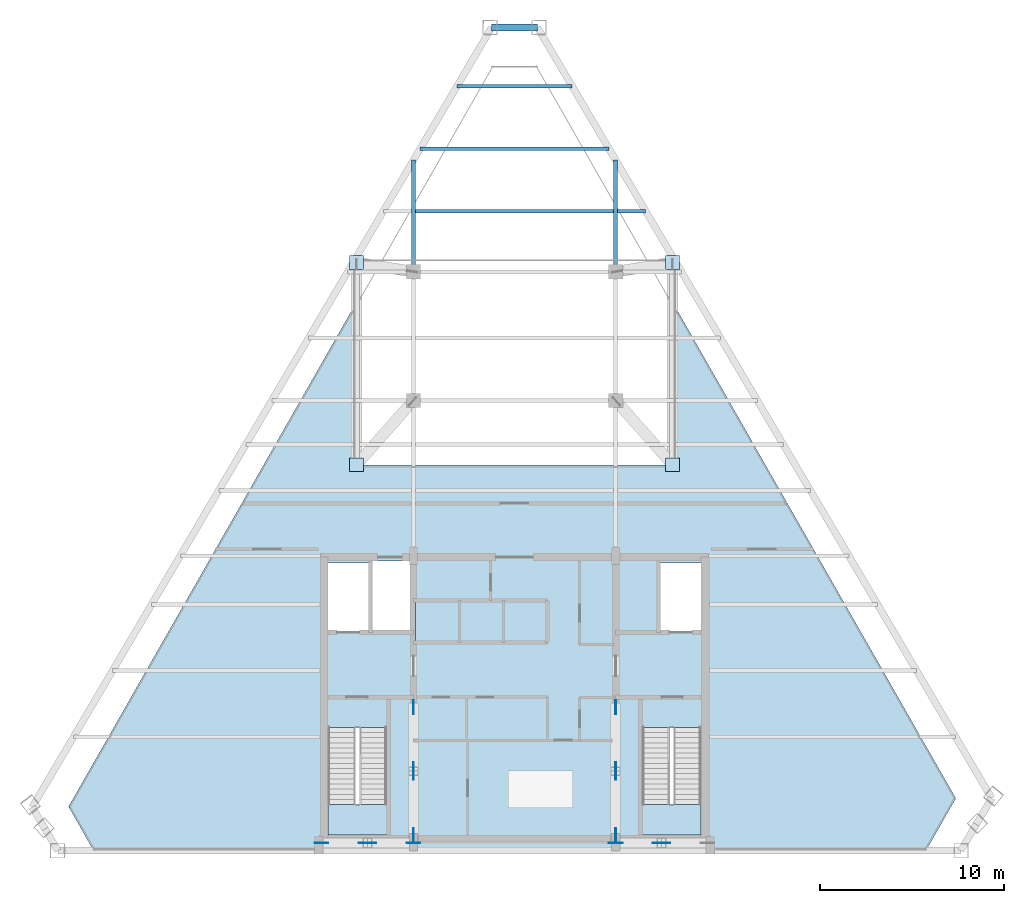
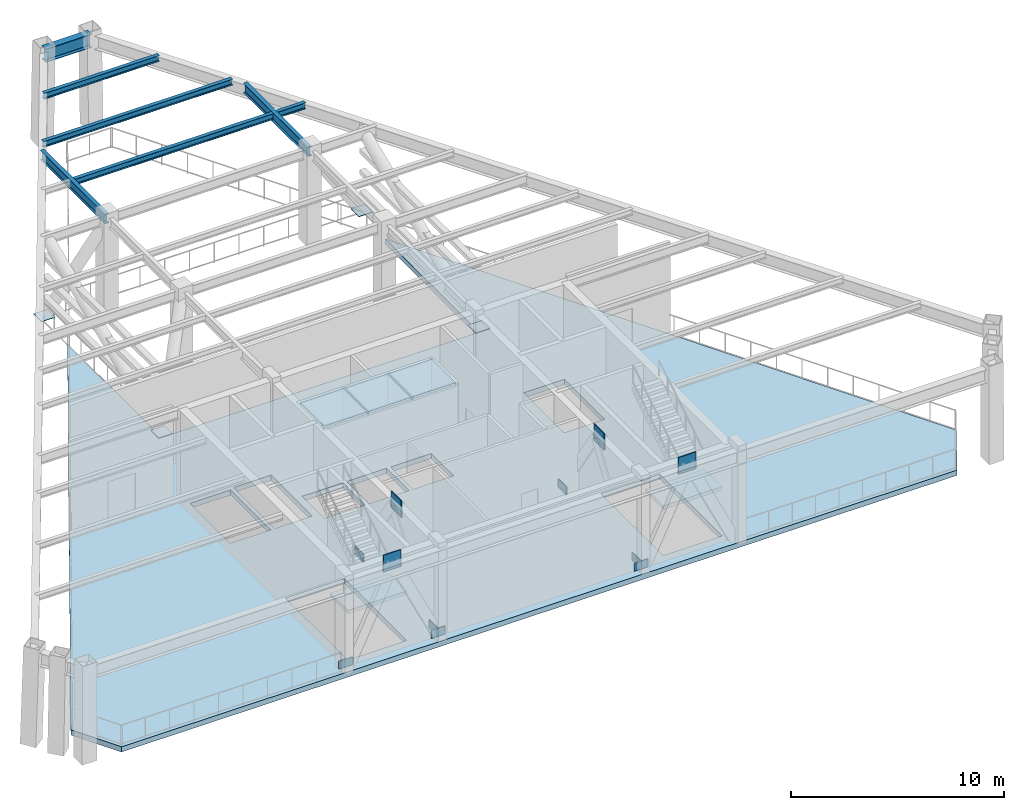
# One storey, part 2 of 6: 15 plates, 7 beams, 6 slabs, 2 elements without a shape of their own.
"""IFC4 building model written with IfcOpenShell, lengths in metres."""

from ifc_helpers import new_model, si_unit, direction, frame, origin, origin_2d, place, context, subcontext, project, spatial, polyline, rectangle, i_section, outline, extrude, source, transform, mapped, material, layer, layer_set, material_profile, profile_set, type_object, type_shapes, element, aggregate, save


model = new_model("IFC4")

# Units and contexts
model_context = context("Model", 3, precision=1e-05, world=origin(), true_north=direction((0.0, 1.0)))
body_context = subcontext(model_context, "Body", "Model", "MODEL_VIEW")
ifc_project = project(units=[si_unit("LENGTHUNIT", "METRE"), si_unit("AREAUNIT", "SQUARE_METRE"), si_unit("VOLUMEUNIT", "CUBIC_METRE"), si_unit("PLANEANGLEUNIT", "RADIAN"), si_unit("MASSUNIT", "GRAM", prefix="KILO")], contexts=[model_context])

# Site, building, storey
site_placement = place(None, origin())
site = spatial("IfcSite", under=ifc_project, at=site_placement, CompositionType="ELEMENT")
building_placement = place(site_placement, origin())
building = spatial("IfcBuilding", under=site, at=building_placement, Name="Varnakhor Terracotta Tower", CompositionType="ELEMENT")
storey_placement = place(building_placement, frame((0.0, 0.0, 304.050048828125)))
storey = spatial("IfcBuildingStorey", under=building, at=storey_placement, Name="L80", CompositionType="ELEMENT", Elevation=304.050048828125)

# Beams
ifc_material_1 = material(Name="Steel S355", Category="steel")
ifc_material_profile_1 = material_profile(ifc_material_1, i_section(OverallWidth=0.202880859375, OverallDepth=0.346923828125, WebThickness=0.0078125, FlangeThickness=0.013427734375, FilletRadius=0.01806640625, at=origin_2d()), Name="W14X43")
ifc_profile_set_1 = profile_set([ifc_material_profile_1], Name="Steel S355")
beam_type_1 = type_object("IfcBeamType", Name="JST-W14X43", PredefinedType="JOIST", material=ifc_profile_set_1)
shared_shape_1 = source(origin(), body_context, "Body", "SweptSolid", [
    extrude(i_section(OverallWidth=0.202880859375, OverallDepth=0.346923828125, WebThickness=0.0078125, FlangeThickness=0.013427734375, FilletRadius=0.01806640625, at=origin_2d()), origin(), (0.0, 0.0, 1.0), 10.7939453125),
])
beam_1_placement = place(storey_placement, frame((-5.39697265625, 34.800048828125, 5.176513671875), z_axis=(1.0, 0.0, 0.0), x_axis=(0.0, 1.0, 0.0)))
element("IfcBeam", 1, at=beam_1_placement, inside=storey, type_object=beam_type_1, Name="L80 Composite Floor Joist 7-2", PredefinedType="JOIST", context=body_context, shape_type="MappedRepresentation", body=[
    mapped(shared_shape_1, transform((0.0, 0.0, 0.0), scale=1.0)),
])
ifc_material_profile_2 = material_profile(ifc_material_1, i_section(OverallWidth=0.381103515625, OverallDepth=0.77294921875, WebThickness=0.01708984375, FlangeThickness=0.027099609375, FilletRadius=0.01806640625, at=origin_2d()), Name="W30X173")
ifc_profile_set_2 = profile_set([ifc_material_profile_2], Name="Steel S355")
beam_type_2 = type_object("IfcBeamType", Name="BM-W30X173", PredefinedType="BEAM", material=ifc_profile_set_2)
shared_shape_2 = source(origin(), body_context, "Body", "SweptSolid", [
    extrude(i_section(OverallWidth=0.381103515625, OverallDepth=0.77294921875, WebThickness=0.01708984375, FlangeThickness=0.027099609375, FilletRadius=0.01806640625, at=origin_2d()), origin(), (0.0, 0.0, 1.0), 2.49853515625),
])
beam_2_placement = place(storey_placement, frame((1.249267578125, 44.789794921875, 4.96337890625), z_axis=(-1.0, 0.0, 0.0), x_axis=(0.0, -1.0, 0.0)))
element("IfcBeam", 2, at=beam_2_placement, inside=storey, type_object=beam_type_2, Name="L80 Perimeter Spandrel 5", PredefinedType="BEAM", context=body_context, shape_type="MappedRepresentation", body=[
    mapped(shared_shape_2, transform((0.0, 0.0, 0.0), scale=1.0)),
])
ifc_material_profile_3 = material_profile(ifc_material_1, i_section(OverallWidth=0.214111328125, OverallDepth=0.549072265625, WebThickness=0.014892578125, FlangeThickness=0.02392578125, FilletRadius=0.01806640625, at=origin_2d()), Name="W21X93")
ifc_profile_set_3 = profile_set([ifc_material_profile_3], Name="Steel S355")
beam_type_3 = type_object("IfcBeamType", Name="BM-W21X93", PredefinedType="BEAM", material=ifc_profile_set_3)
shared_shape_3 = source(origin(), body_context, "Body", "SweptSolid", [
    extrude(i_section(OverallWidth=0.214111328125, OverallDepth=0.549072265625, WebThickness=0.014892578125, FlangeThickness=0.02392578125, FilletRadius=0.01806640625, at=origin_2d()), origin(), (0.0, 0.0, 1.0), 6.076904296875),
])
for number, where, z_axis, x_axis, name in (
    (3, (-5.5, 31.5, 5.075439453125), (0.0, 1.0, 0.0), (-1.0, 0.0, 0.0), "L80 Primary Girder NS3-W"),
    (4, (5.5, 31.5, 5.075439453125), (0.0, 1.0, 0.0), (-1.0, 0.0, 0.0), "L80 Primary Girder NS3-E"),
):
    element("IfcBeam", number, at=place(storey_placement, frame(where, z_axis=z_axis, x_axis=x_axis)), inside=storey, type_object=beam_type_3, Name=name, PredefinedType="BEAM", context=body_context, shape_type="MappedRepresentation", body=[
        mapped(shared_shape_3, transform((0.0, 0.0, 0.0), scale=1.0)),
    ])
shared_shape_4 = source(origin(), body_context, "Body", "SweptSolid", [
    extrude(i_section(OverallWidth=0.202880859375, OverallDepth=0.346923828125, WebThickness=0.0078125, FlangeThickness=0.013427734375, FilletRadius=0.01806640625, at=origin_2d()), origin(), (0.0, 0.0, 1.0), 1.533447265625),
])
beam_3_placement = place(storey_placement, frame((5.60302734375, 34.800048828125, 5.176513671875), z_axis=(1.0, 0.0, 0.0), x_axis=(0.0, 1.0, 0.0)))
element("IfcBeam", 5, at=beam_3_placement, inside=storey, type_object=beam_type_1, Name="L80 Composite Floor Joist 7-3", PredefinedType="JOIST", context=body_context, shape_type="MappedRepresentation", body=[
    mapped(shared_shape_4, transform((0.0, 0.0, 0.0), scale=1.0)),
])
shared_shape_5 = source(origin(), body_context, "Body", "SweptSolid", [
    extrude(i_section(OverallWidth=0.202880859375, OverallDepth=0.346923828125, WebThickness=0.0078125, FlangeThickness=0.013427734375, FilletRadius=0.01806640625, at=origin_2d()), origin(), (0.0, 0.0, 1.0), 10.265625),
])
beam_4_placement = place(storey_placement, frame((-5.1328125, 38.199951171875, 5.176513671875), z_axis=(1.0, 0.0, 0.0), x_axis=(0.0, 1.0, 0.0)))
element("IfcBeam", 6, at=beam_4_placement, inside=storey, type_object=beam_type_1, Name="L80 Composite Floor Joist 8-1", PredefinedType="JOIST", context=body_context, shape_type="MappedRepresentation", body=[
    mapped(shared_shape_5, transform((0.0, 0.0, 0.0), scale=1.0)),
])
shared_shape_6 = source(origin(), body_context, "Body", "SweptSolid", [
    extrude(i_section(OverallWidth=0.202880859375, OverallDepth=0.346923828125, WebThickness=0.0078125, FlangeThickness=0.013427734375, FilletRadius=0.01806640625, at=origin_2d()), origin(), (0.0, 0.0, 1.0), 6.2578125),
])
beam_5_placement = place(storey_placement, frame((-3.12890625, 41.60009765625, 5.176513671875), z_axis=(1.0, 0.0, 0.0), x_axis=(0.0, 1.0, 0.0)))
element("IfcBeam", 7, at=beam_5_placement, inside=storey, type_object=beam_type_1, Name="L80 Composite Floor Joist 9-1", PredefinedType="JOIST", context=body_context, shape_type="MappedRepresentation", body=[
    mapped(shared_shape_6, transform((0.0, 0.0, 0.0), scale=1.0)),
])

# Stair, slab
ifc_material_2 = material(Name="Concrete C40/50", Category="concrete")
stair_type = type_object("IfcStairType", Name="STR-CORE-HOTEL-1500", PredefinedType="HALF_TURN_STAIR", material=ifc_material_2)
stair_1_placement = place(storey_placement, origin())
stair_1 = element("IfcStair", 8, at=stair_1_placement, inside=storey, type_object=stair_type, Name="L80 Core Exit Stair ST-1", PredefinedType="HALF_TURN_STAIR")
ifc_layer_1 = layer(ifc_material_2, 0.179931640625, Name="Concrete C40/50")
ifc_layer_set_1 = layer_set([ifc_layer_1], Name="Concrete C40/50")
slab_type_1 = type_object("IfcSlabType", Name="SLB-LANDING-180", PredefinedType="LANDING", material=ifc_layer_set_1)
slab_1_placement = place(storey_placement, frame((0.0, 0.0, 2.625)))
slab_1 = element("IfcSlab", 9, at=slab_1_placement, type_object=slab_type_1, Name="ST-1 landing 1", PredefinedType="LANDING", context=body_context, shape_type="SweptSolid", body=[
    extrude(outline(polyline([(-10.14990234375, 2.510009765625), (-10.14990234375, 0.85009765625), (-6.949951171875, 0.85009765625), (-6.949951171875, 2.510009765625), (-10.14990234375, 2.510009765625)])), origin(), (0.0, 0.0, 1.0), 0.199951171875),
])
aggregate(stair_1, [slab_1])

stair_2_placement = place(storey_placement, origin())
stair_2 = element("IfcStair", 10, at=stair_2_placement, inside=storey, type_object=stair_type, Name="L80 Core Exit Stair ST-2", PredefinedType="HALF_TURN_STAIR")
slab_2_placement = place(storey_placement, frame((0.0, 0.0, 2.625)))
slab_2 = element("IfcSlab", 11, at=slab_2_placement, type_object=slab_type_1, Name="ST-2 landing 1", PredefinedType="LANDING", context=body_context, shape_type="SweptSolid", body=[
    extrude(outline(polyline([(6.949951171875, 2.510009765625), (6.949951171875, 0.85009765625), (10.14990234375, 0.85009765625), (10.14990234375, 2.510009765625), (6.949951171875, 2.510009765625)])), origin(), (0.0, 0.0, 1.0), 0.199951171875),
])
aggregate(stair_2, [slab_2])

# Slabs
ifc_layer_2 = layer(ifc_material_2, 0.300048828125, Name="Concrete C40/50")
ifc_layer_set_2 = layer_set([ifc_layer_2], Name="Concrete C40/50")
slab_type_2 = type_object("IfcSlabType", Name="SLB-PLANT-300", PredefinedType="FLOOR", material=ifc_layer_set_2)
slab_3_placement = place(storey_placement, frame((0.0, 0.0, -0.300048828125)))
element("IfcSlab", 12, at=slab_3_placement, inside=storey, type_object=slab_type_2, Name="L80 Structural Floor Slab", PredefinedType="FLOOR", context=body_context, shape_type="SweptSolid", body=[
    extrude(outline(polyline([(24.00830078125, 2.84912109375), (22.3818359375, 0.0), (-22.900146484375, 0.0), (-24.267333984375, 2.395263671875), (-8.60009765625, 29.842529296875), (-8.60009765625, 21.0), (8.60009765625, 21.0), (8.60009765625, 29.842529296875), (24.00830078125, 2.84912109375)]), holes=[polyline([(-6.949951171875, 0.85009765625), (-6.949951171875, 6.695068359375), (-10.14990234375, 6.695068359375), (-10.14990234375, 0.85009765625), (-6.949951171875, 0.85009765625)]), polyline([(10.14990234375, 0.85009765625), (10.14990234375, 6.695068359375), (6.949951171875, 6.695068359375), (6.949951171875, 0.85009765625), (10.14990234375, 0.85009765625)]), polyline([(-3.10009765625, 11.419921875), (-3.10009765625, 13.52001953125), (-5.300048828125, 13.52001953125), (-5.300048828125, 11.419921875), (-3.10009765625, 11.419921875)]), polyline([(-0.719970703125, 11.419921875), (-0.719970703125, 13.52001953125), (-2.8798828125, 13.52001953125), (-2.8798828125, 11.419921875), (-0.719970703125, 11.419921875)]), polyline([(1.699951171875, 11.419921875), (1.699951171875, 13.52001953125), (-0.5, 13.52001953125), (-0.5, 11.419921875), (1.699951171875, 11.419921875)]), polyline([(-7.949951171875, 11.8798828125), (-7.949951171875, 15.64990234375), (-10.14990234375, 15.64990234375), (-10.14990234375, 11.8798828125), (-7.949951171875, 11.8798828125)]), polyline([(10.14990234375, 11.8798828125), (10.14990234375, 15.64990234375), (7.949951171875, 15.64990234375), (7.949951171875, 11.8798828125), (10.14990234375, 11.8798828125)]), polyline([(-7.72998046875, 11.8798828125), (-5.699951171875, 11.8798828125), (-5.699951171875, 15.75), (-7.72998046875, 15.75), (-7.72998046875, 11.8798828125)])]), origin(), (0.0, 0.0, 1.0), 0.300048828125),
])
slab_4_placement = place(storey_placement, frame((0.0, 0.0, 5.099853515625)))
element("IfcSlab", 13, at=slab_4_placement, inside=storey, type_object=slab_type_2, Name="Lift PL-3A Hoistway Overrun Cap Slab", PredefinedType="FLOOR", context=body_context, shape_type="SweptSolid", body=[
    extrude(outline(polyline([(-5.3798828125, 11.340087890625), (-3.02001953125, 11.340087890625), (-3.02001953125, 13.60009765625), (-5.3798828125, 13.60009765625), (-5.3798828125, 11.340087890625)])), origin(), (0.0, 0.0, 1.0), 0.25),
])
slab_5_placement = place(storey_placement, frame((0.0, 0.0, 5.099853515625)))
element("IfcSlab", 14, at=slab_5_placement, inside=storey, type_object=slab_type_2, Name="Lift PL-3B Hoistway Overrun Cap Slab", PredefinedType="FLOOR", context=body_context, shape_type="SweptSolid", body=[
    extrude(outline(polyline([(-2.9599609375, 11.340087890625), (-0.639892578125, 11.340087890625), (-0.639892578125, 13.60009765625), (-2.9599609375, 13.60009765625), (-2.9599609375, 11.340087890625)])), origin(), (0.0, 0.0, 1.0), 0.25),
])
slab_6_placement = place(storey_placement, frame((0.0, 0.0, 5.099853515625)))
element("IfcSlab", 15, at=slab_6_placement, inside=storey, type_object=slab_type_2, Name="Lift PL-3C Hoistway Overrun Cap Slab", PredefinedType="FLOOR", context=body_context, shape_type="SweptSolid", body=[
    extrude(outline(polyline([(-0.580078125, 11.340087890625), (1.780029296875, 11.340087890625), (1.780029296875, 13.60009765625), (-0.580078125, 13.60009765625), (-0.580078125, 11.340087890625)])), origin(), (0.0, 0.0, 1.0), 0.25),
])

# Plates
ifc_material_3 = material(Name="Steel S460", Category="steel")
ifc_layer_3 = layer(ifc_material_3, 0.050048828125, Name="Steel S460")
ifc_layer_set_3 = layer_set([ifc_layer_3], Name="Steel S460")
plate_type_1 = type_object("IfcPlateType", Name="PLT-GUSSET-50", PredefinedType="USERDEFINED", material=ifc_layer_set_3)
shared_shape_7 = source(origin(), body_context, "Body", "SweptSolid", [
    extrude(rectangle(XDim=0.75, YDim=0.0400390625, at=origin_2d()), origin(), (0.0, 0.0, 1.0), 0.550048828125),
])
type_shapes(plate_type_1, [shared_shape_7])
for number, where, z_axis, x_axis, name in (
    (16, (-10.5, 0.419921875, -0.09521484375), (0.0, 0.0, 1.0), (1.0, 0.0, 0.0), "L80 Core Brace Embed Plate CSWA"),
    (17, (-5.5, 0.419921875, -0.09521484375), (0.0, 0.0, 1.0), (1.0, 0.0, 0.0), "L80 Core Brace Embed Plate CSWB"),
    (18, (5.5, 0.419921875, -0.09521484375), (0.0, 0.0, 1.0), (1.0, 0.0, 0.0), "L80 Core Brace Embed Plate CSEA"),
    (19, (-5.5, 0.85009765625, -0.09521484375), (0.0, 0.0, 1.0), (0.0, 1.0, 0.0), "L80 Core Brace Embed Plate CWWA"),
    (20, (-5.5, 7.800048828125, -0.09521484375), (0.0, 0.0, 1.0), (0.0, 1.0, 0.0), "L80 Core Brace Embed Plate CWWB"),
    (21, (5.5, 0.85009765625, -0.09521484375), (0.0, 0.0, 1.0), (0.0, 1.0, 0.0), "L80 Core Brace Embed Plate CWEA"),
    (22, (5.5, 7.800048828125, -0.09521484375), (0.0, 0.0, 1.0), (0.0, 1.0, 0.0), "L80 Core Brace Embed Plate CWEB"),
):
    element("IfcPlate", number, at=place(storey_placement, frame(where, z_axis=z_axis, x_axis=x_axis)), inside=storey, type_object=plate_type_1, Name=name, ObjectType="GUSSET PLATE", PredefinedType="USERDEFINED", context=body_context, shape_type="MappedRepresentation", body=[
        mapped(shared_shape_7, transform((0.0, 0.0, 0.0), scale=1.0)),
    ])
shared_shape_8 = source(origin(), body_context, "Body", "SweptSolid", [
    extrude(rectangle(XDim=0.949951171875, YDim=0.044921875, at=origin_2d()), origin(), (0.0, 0.0, 1.0), 0.949951171875),
])
for number, where, z_axis, x_axis, name in (
    (23, (-8.0, 0.419921875, 4.72509765625), (0.0, 0.0, 1.0), (1.0, 0.0, 0.0), "L80 Core Brace Apex Gusset CSW"),
    (24, (8.0, 0.419921875, 4.72509765625), (0.0, 0.0, 1.0), (1.0, 0.0, 0.0), "L80 Core Brace Apex Gusset CSE"),
    (25, (-5.5, 4.324951171875, 4.72509765625), (0.0, 0.0, 1.0), (0.0, 1.0, 0.0), "L80 Core Brace Apex Gusset CWW"),
    (26, (5.5, 4.324951171875, 4.72509765625), (0.0, 0.0, 1.0), (0.0, 1.0, 0.0), "L80 Core Brace Apex Gusset CWE"),
):
    element("IfcPlate", number, at=place(storey_placement, frame(where, z_axis=z_axis, x_axis=x_axis)), inside=storey, type_object=plate_type_1, Name=name, ObjectType="GUSSET PLATE", PredefinedType="USERDEFINED", context=body_context, shape_type="MappedRepresentation", body=[
        mapped(shared_shape_8, transform((0.0, 0.0, 0.0), scale=1.0)),
    ])
ifc_layer_4 = layer(ifc_material_1, 0.028076171875, Name="Steel S355")
ifc_layer_set_4 = layer_set([ifc_layer_4], Name="Steel S355")
plate_type_2 = type_object("IfcPlateType", Name="PLT-CAP-28", PredefinedType="USERDEFINED", material=ifc_layer_set_4)
shared_shape_9 = source(origin(), body_context, "Body", "SweptSolid", [
    extrude(rectangle(XDim=0.75, YDim=0.75, at=origin_2d()), origin(), (0.0, 0.0, 1.0), 0.028076171875),
])
type_shapes(plate_type_2, [shared_shape_9])
for number, where, z_axis, x_axis, name in (
    (27, (-8.60009765625, 21.0, 0.2861328125), (0.0, 0.0, 1.0), (1.0, 0.0, 0.0), "L80 Portal Strut Cap Plate 1"),
    (28, (8.60009765625, 21.0, 0.2861328125), (0.0, 0.0, 1.0), (1.0, 0.0, 0.0), "L80 Portal Strut Cap Plate 2"),
    (29, (-8.60009765625, 32.0, 0.2861328125), (0.0, 0.0, 1.0), (1.0, 0.0, 0.0), "L80 Portal Strut Cap Plate 3"),
    (30, (8.60009765625, 32.0, 0.2861328125), (0.0, 0.0, 1.0), (1.0, 0.0, 0.0), "L80 Portal Strut Cap Plate 4"),
):
    element("IfcPlate", number, at=place(storey_placement, frame(where, z_axis=z_axis, x_axis=x_axis)), inside=storey, type_object=plate_type_2, Name=name, ObjectType="CAP PLATE", PredefinedType="USERDEFINED", context=body_context, shape_type="MappedRepresentation", body=[
        mapped(shared_shape_9, transform((0.0, 0.0, 0.0), scale=1.0)),
    ])

save(model, "model.ifc")
